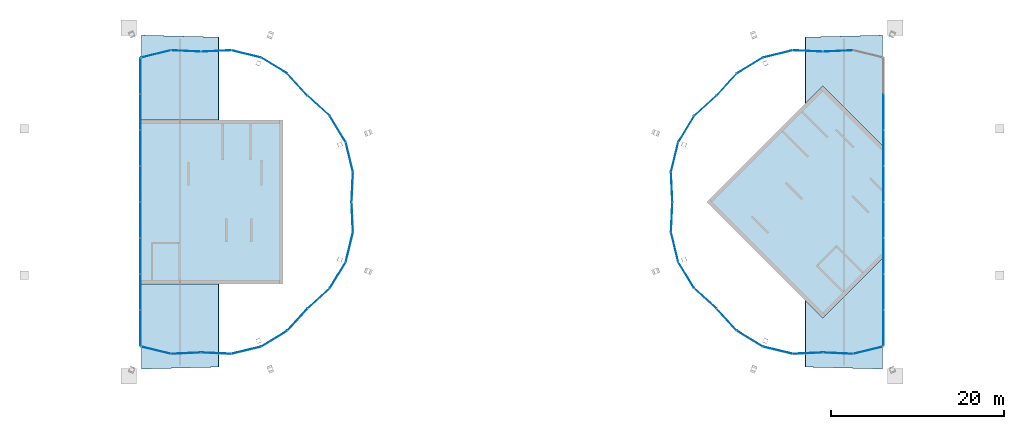
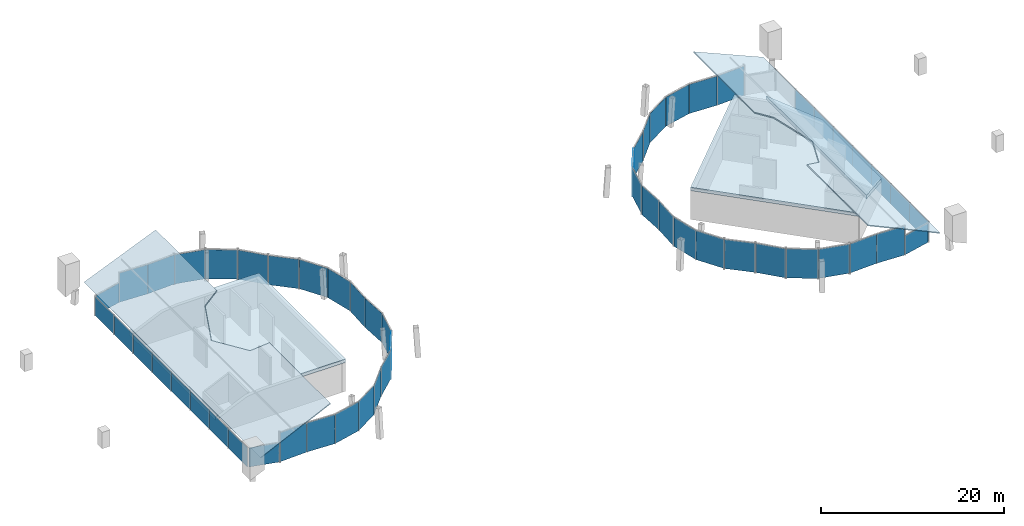
# One storey, part 12 of 14: 56 plates, 4 slabs, 20 elements without a shape of their own.
"""IFC4 building model written with IfcOpenShell, lengths in metres."""

from ifc_helpers import new_model, si_unit, direction, frame, origin, origin_2d, place, context, subcontext, project, spatial, polyline, rectangle, outline, extrude, material, layer, layer_set, type_object, element, aggregate, save


model = new_model("IFC4")

# Units and contexts
model_context = context("Model", 3, precision=1e-05, world=origin(), true_north=direction((0.0, 1.0)))
body_context = subcontext(model_context, "Body", "Model", "MODEL_VIEW")
ifc_project = project(units=[si_unit("LENGTHUNIT", "METRE"), si_unit("AREAUNIT", "SQUARE_METRE"), si_unit("VOLUMEUNIT", "CUBIC_METRE"), si_unit("PLANEANGLEUNIT", "RADIAN"), si_unit("MASSUNIT", "GRAM", prefix="KILO")], contexts=[model_context])

# Site, building, storey
site_placement = place(None, origin())
site = spatial("IfcSite", under=ifc_project, at=site_placement, CompositionType="ELEMENT")
building_placement = place(site_placement, origin())
building = spatial("IfcBuilding", under=site, at=building_placement, Name="Ogive Gate Towers", CompositionType="ELEMENT")
storey_placement = place(building_placement, frame((0.0, 0.0, 306.0)))
storey = spatial("IfcBuildingStorey", under=building, at=storey_placement, Name="L72", CompositionType="ELEMENT", Elevation=306.0)

# Slabs
ifc_material_1 = material(Name="Concrete C40/50", Category="concrete")
ifc_layer_1 = layer(ifc_material_1, 0.449951171875)
ifc_layer_set_1 = layer_set([ifc_layer_1], Name="Core roof C40/50 450 mm")
slab_type = type_object("IfcSlabType", Name="Core roof C40/50 450 mm", PredefinedType="ROOF", material=ifc_layer_set_1)
slab_1_placement = place(storey_placement, frame((0.0, 0.0, 3.550048828125)))
element("IfcSlab", 1, at=slab_1_placement, inside=storey, type_object=slab_type, Name="T1 core roof", PredefinedType="ROOF", context=body_context, shape_type="SweptSolid", body=[
    extrude(outline(polyline([(-26.5, -9.5), (-38.458740234375, -9.5), (-38.458740234375, 9.5), (-26.5, 9.5), (-26.5, -9.5)])), origin(), (0.0, 0.0, 1.0), 0.449951171875),
])
slab_2_placement = place(storey_placement, frame((-42.929443359375, -9.5, 2.0), z_axis=(-0.408357315732, 0.0, 0.91282216378), x_axis=(0.0, 1.0, 0.0)))
element("IfcSlab", 2, at=slab_2_placement, inside=storey, type_object=slab_type, Name="T1 core roof", PredefinedType="ROOF", context=body_context, shape_type="SweptSolid", body=[
    extrude(outline(polyline([(0.0, 0.0), (19.0, 0.0), (19.0, -4.897671531644887), (0.0, -4.897671531644887), (0.0, 0.0)])), origin(), (0.0, 0.408357315732, -0.91282216378), 0.492919921875),
])
slab_3_placement = place(storey_placement, frame((0.0, 0.0, 3.550048828125)))
element("IfcSlab", 3, at=slab_3_placement, inside=storey, type_object=slab_type, Name="T2 core roof", PredefinedType="ROOF", context=body_context, shape_type="SweptSolid", body=[
    extrude(outline(polyline([(22.56494140625, 0.0), (36.0, 13.43505859375), (38.458740234375, 10.976318359375), (38.458740234375, -10.976318359375), (36.0, -13.43505859375), (22.56494140625, 0.0)])), origin(), (0.0, 0.0, 1.0), 0.449951171875),
])
slab_4_placement = place(storey_placement, frame((42.929443359375, 6.505615234375, 2.0), z_axis=(0.408357315732, 0.0, 0.91282216378), x_axis=(0.0, -1.0, 0.0)))
element("IfcSlab", 4, at=slab_4_placement, inside=storey, type_object=slab_type, Name="T2 core roof", PredefinedType="ROOF", context=body_context, shape_type="SweptSolid", body=[
    extrude(outline(polyline([(0.0, 0.0), (13.01123046875, 0.0), (17.48193359375, -4.897671531644885), (-4.470703125, -4.897671531644885), (0.0, 0.0)])), origin(), (0.0, 0.408357315732, -0.91282216378), 0.492919921875),
])

# Curtain wall, plates
ifc_material_2 = material(Name="Pale metal aluminium", Category="aluminium")
curtain_wall_type = type_object("IfcCurtainWallType", Name="Crown lean wall", PredefinedType="NOTDEFINED", material=ifc_material_2)
curtain_wall_1_placement = place(storey_placement, origin())
curtain_wall_1 = element("IfcCurtainWall", 5, at=curtain_wall_1_placement, inside=storey, type_object=curtain_wall_type, Name="CW5 T1 ECW01", PredefinedType="NOTDEFINED")
ifc_material_3 = material(Name="Clear glass", Category="glass")
ifc_layer_2 = layer(ifc_material_3, 0.028076171875)
ifc_layer_set_2 = layer_set([ifc_layer_2], Name="Crown lean wall glass panel")
plate_type_1 = type_object("IfcPlateType", Name="Crown lean wall glass panel", PredefinedType="CURTAIN_PANEL", material=ifc_layer_set_2)
plate_1_placement = place(storey_placement, frame((-22.39501953125, 11.142578125, -0.2998046875), z_axis=(0.0, 0.0, 1.0), x_axis=(0.738408263639, -0.674353939849, 0.0)))
plate_1 = element("IfcPlate", 6, at=plate_1_placement, type_object=plate_type_1, Name="CW5 glass panel", PredefinedType="CURTAIN_PANEL", context=body_context, shape_type="SweptSolid", body=[
    extrude(rectangle(XDim=3.44189453125, YDim=0.028076171875, at=origin_2d()), origin(), (0.0, 0.0, 1.0), 3.904052734375),
])
plate_2_placement = place(storey_placement, frame((-20.181640625, 8.44970703125, -0.2998046875), z_axis=(0.0, 0.0, 1.0), x_axis=(0.520517935483, -0.853850735691, 0.0)))
plate_2 = element("IfcPlate", 7, at=plate_2_placement, type_object=plate_type_1, Name="CW5 glass panel", PredefinedType="CURTAIN_PANEL", context=body_context, shape_type="SweptSolid", body=[
    extrude(rectangle(XDim=3.49609375, YDim=0.028076171875, at=origin_2d()), origin(), (0.0, 0.0, 1.0), 3.904052734375),
])
plate_3_placement = place(storey_placement, frame((-18.840087890625, 5.21044921875, -0.2998046875), z_axis=(0.0, 0.0, 1.0), x_axis=(0.23568492183, -0.971829520864, 0.0)))
plate_3 = element("IfcPlate", 8, at=plate_3_placement, type_object=plate_type_1, Name="CW5 glass panel", PredefinedType="CURTAIN_PANEL", context=body_context, shape_type="SweptSolid", body=[
    extrude(rectangle(XDim=3.496337890625, YDim=0.028076171875, at=origin_2d()), origin(), (0.0, 0.0, 1.0), 3.904052734375),
])
plate_4_placement = place(storey_placement, frame((-18.5009765625, 1.7412109375, -0.2998046875), z_axis=(0.0, 0.0, 1.0), x_axis=(-0.045275811329, -0.998974524654, 0.0)))
plate_4 = element("IfcPlate", 9, at=plate_4_placement, type_object=plate_type_1, Name="CW5 glass panel", PredefinedType="CURTAIN_PANEL", context=body_context, shape_type="SweptSolid", body=[
    extrude(rectangle(XDim=3.44189453125, YDim=0.028076171875, at=origin_2d()), origin(), (0.0, 0.0, 1.0), 3.904052734375),
])
aggregate(curtain_wall_1, [plate_1, plate_2, plate_3, plate_4])

curtain_wall_2_placement = place(storey_placement, origin())
curtain_wall_2 = element("IfcCurtainWall", 10, at=curtain_wall_2_placement, inside=storey, type_object=curtain_wall_type, Name="CW5 T1 ECW02", PredefinedType="NOTDEFINED")
plate_5_placement = place(storey_placement, frame((-34.2587890625, 17.4990234375, -0.2998046875), z_axis=(0.0, 0.0, 1.0), x_axis=(0.998974524654, 0.045275811329, 0.0)))
plate_5 = element("IfcPlate", 11, at=plate_5_placement, type_object=plate_type_1, Name="CW5 glass panel", PredefinedType="CURTAIN_PANEL", context=body_context, shape_type="SweptSolid", body=[
    extrude(rectangle(XDim=3.44189453125, YDim=0.028076171875, at=origin_2d()), origin(), (0.0, 0.0, 1.0), 3.904052734375),
])
plate_6_placement = place(storey_placement, frame((-30.78955078125, 17.159912109375, -0.2998046875), z_axis=(0.0, 0.0, 1.0), x_axis=(0.971829520864, -0.23568492183, 0.0)))
plate_6 = element("IfcPlate", 12, at=plate_6_placement, type_object=plate_type_1, Name="CW5 glass panel", PredefinedType="CURTAIN_PANEL", context=body_context, shape_type="SweptSolid", body=[
    extrude(rectangle(XDim=3.496337890625, YDim=0.028076171875, at=origin_2d()), origin(), (0.0, 0.0, 1.0), 3.904052734375),
])
plate_7_placement = place(storey_placement, frame((-27.55029296875, 15.818359375, -0.2998046875), z_axis=(0.0, 0.0, 1.0), x_axis=(0.853850735691, -0.520517935483, 0.0)))
plate_7 = element("IfcPlate", 13, at=plate_7_placement, type_object=plate_type_1, Name="CW5 glass panel", PredefinedType="CURTAIN_PANEL", context=body_context, shape_type="SweptSolid", body=[
    extrude(rectangle(XDim=3.49609375, YDim=0.028076171875, at=origin_2d()), origin(), (0.0, 0.0, 1.0), 3.904052734375),
])
plate_8_placement = place(storey_placement, frame((-24.857421875, 13.60498046875, -0.2998046875), z_axis=(0.0, 0.0, 1.0), x_axis=(0.674353939849, -0.738408263639, 0.0)))
plate_8 = element("IfcPlate", 14, at=plate_8_placement, type_object=plate_type_1, Name="CW5 glass panel", PredefinedType="CURTAIN_PANEL", context=body_context, shape_type="SweptSolid", body=[
    extrude(rectangle(XDim=3.44189453125, YDim=0.028076171875, at=origin_2d()), origin(), (0.0, 0.0, 1.0), 3.904052734375),
])
aggregate(curtain_wall_2, [plate_5, plate_6, plate_7, plate_8])

curtain_wall_3_placement = place(storey_placement, origin())
curtain_wall_3 = element("IfcCurtainWall", 15, at=curtain_wall_3_placement, inside=storey, type_object=curtain_wall_type, Name="CW5 T1 ECW03", PredefinedType="NOTDEFINED")
plate_9_placement = place(storey_placement, frame((-41.21240234375, 17.159423828125, -0.300048828125), z_axis=(0.0, 0.0, 1.0), x_axis=(0.971829520864, 0.23568492183, 0.0)))
plate_9 = element("IfcPlate", 16, at=plate_9_placement, type_object=plate_type_1, Name="CW5 glass panel", PredefinedType="CURTAIN_PANEL", context=body_context, shape_type="SweptSolid", body=[
    extrude(rectangle(XDim=3.50048828125, YDim=0.028076171875, at=origin_2d()), origin(), (0.0, 0.0, 1.0), 2.58154296875),
])
plate_10_placement = place(storey_placement, frame((-37.7412109375, 17.4990234375, -0.2998046875), z_axis=(0.0, 0.0, 1.0), x_axis=(0.998974524654, -0.045275811329, 0.0)))
plate_10 = element("IfcPlate", 17, at=plate_10_placement, type_object=plate_type_1, Name="CW5 glass panel", PredefinedType="CURTAIN_PANEL", context=body_context, shape_type="SweptSolid", body=[
    extrude(rectangle(XDim=3.44189453125, YDim=0.028076171875, at=origin_2d()), origin(), (0.0, 0.0, 1.0), 3.904052734375),
])
aggregate(curtain_wall_3, [plate_9, plate_10])

curtain_wall_4_placement = place(storey_placement, origin())
curtain_wall_4 = element("IfcCurtainWall", 18, at=curtain_wall_4_placement, inside=storey, type_object=curtain_wall_type, Name="CW5 T1 ECW03b", PredefinedType="NOTDEFINED")
plate_11_placement = place(storey_placement, frame((-43.029296875, 10.427490234375, -0.300048828125), z_axis=(0.0, 0.0, 1.0), x_axis=(0.0, 1.0, 0.0)))
plate_11 = element("IfcPlate", 19, at=plate_11_placement, type_object=plate_type_1, Name="CW5 glass panel", PredefinedType="CURTAIN_PANEL", context=body_context, shape_type="SweptSolid", body=[
    extrude(rectangle(XDim=4.127197265625, YDim=0.028076171875, at=origin_2d()), origin(), (0.0, 0.0, 1.0), 2.583984375),
])
plate_12_placement = place(storey_placement, frame((-43.029296875, 14.5986328125, -0.300048828125), z_axis=(0.0, 0.0, 1.0), x_axis=(0.0, 1.0, 0.0)))
plate_12 = element("IfcPlate", 20, at=plate_12_placement, type_object=plate_type_1, Name="CW5 glass panel", PredefinedType="CURTAIN_PANEL", context=body_context, shape_type="SweptSolid", body=[
    extrude(rectangle(XDim=4.126953125, YDim=0.028076171875, at=origin_2d()), origin(), (0.0, 0.0, 1.0), 2.583984375),
])
aggregate(curtain_wall_4, [plate_11, plate_12])

curtain_wall_5_placement = place(storey_placement, origin())
curtain_wall_5 = element("IfcCurtainWall", 21, at=curtain_wall_5_placement, inside=storey, type_object=curtain_wall_type, Name="CW5 T1 ECW04", PredefinedType="NOTDEFINED")
plate_13_placement = place(storey_placement, frame((-43.029296875, 2.08544921875, -0.300048828125), z_axis=(0.0, 0.0, 1.0), x_axis=(0.0, 1.0, 0.0)))
plate_13 = element("IfcPlate", 22, at=plate_13_placement, type_object=plate_type_1, Name="CW5 glass panel", PredefinedType="CURTAIN_PANEL", context=body_context, shape_type="SweptSolid", body=[
    extrude(rectangle(XDim=4.126953125, YDim=0.028076171875, at=origin_2d()), origin(), (0.0, 0.0, 1.0), 2.583984375),
])
plate_14_placement = place(storey_placement, frame((-43.029296875, 6.256591796875, -0.300048828125), z_axis=(0.0, 0.0, 1.0), x_axis=(0.0, 1.0, 0.0)))
plate_14 = element("IfcPlate", 23, at=plate_14_placement, type_object=plate_type_1, Name="CW5 glass panel", PredefinedType="CURTAIN_PANEL", context=body_context, shape_type="SweptSolid", body=[
    extrude(rectangle(XDim=4.126953125, YDim=0.028076171875, at=origin_2d()), origin(), (0.0, 0.0, 1.0), 2.583984375),
])
aggregate(curtain_wall_5, [plate_13, plate_14])

curtain_wall_6_placement = place(storey_placement, origin())
curtain_wall_6 = element("IfcCurtainWall", 24, at=curtain_wall_6_placement, inside=storey, type_object=curtain_wall_type, Name="CW5 T1 ECW05", PredefinedType="NOTDEFINED")
plate_15_placement = place(storey_placement, frame((-43.029296875, -6.256591796875, -0.300048828125), z_axis=(0.0, 0.0, 1.0), x_axis=(0.0, 1.0, 0.0)))
plate_15 = element("IfcPlate", 25, at=plate_15_placement, type_object=plate_type_1, Name="CW5 glass panel", PredefinedType="CURTAIN_PANEL", context=body_context, shape_type="SweptSolid", body=[
    extrude(rectangle(XDim=4.126953125, YDim=0.028076171875, at=origin_2d()), origin(), (0.0, 0.0, 1.0), 2.583984375),
])
plate_16_placement = place(storey_placement, frame((-43.029296875, -2.08544921875, -0.300048828125), z_axis=(0.0, 0.0, 1.0), x_axis=(0.0, 1.0, 0.0)))
plate_16 = element("IfcPlate", 26, at=plate_16_placement, type_object=plate_type_1, Name="CW5 glass panel", PredefinedType="CURTAIN_PANEL", context=body_context, shape_type="SweptSolid", body=[
    extrude(rectangle(XDim=4.126953125, YDim=0.028076171875, at=origin_2d()), origin(), (0.0, 0.0, 1.0), 2.583984375),
])
aggregate(curtain_wall_6, [plate_15, plate_16])

curtain_wall_7_placement = place(storey_placement, origin())
curtain_wall_7 = element("IfcCurtainWall", 27, at=curtain_wall_7_placement, inside=storey, type_object=curtain_wall_type, Name="CW5 T1 ECW06", PredefinedType="NOTDEFINED")
plate_17_placement = place(storey_placement, frame((-37.7412109375, -17.4990234375, -0.2998046875), z_axis=(0.0, 0.0, 1.0), x_axis=(-0.998974524654, -0.045275811329, 0.0)))
plate_17 = element("IfcPlate", 28, at=plate_17_placement, type_object=plate_type_1, Name="CW5 glass panel", PredefinedType="CURTAIN_PANEL", context=body_context, shape_type="SweptSolid", body=[
    extrude(rectangle(XDim=3.44189453125, YDim=0.028076171875, at=origin_2d()), origin(), (0.0, 0.0, 1.0), 3.904052734375),
])
plate_18_placement = place(storey_placement, frame((-41.21240234375, -17.159423828125, -0.300048828125), z_axis=(0.0, 0.0, 1.0), x_axis=(-0.971829520864, 0.23568492183, 0.0)))
plate_18 = element("IfcPlate", 29, at=plate_18_placement, type_object=plate_type_1, Name="CW5 glass panel", PredefinedType="CURTAIN_PANEL", context=body_context, shape_type="SweptSolid", body=[
    extrude(rectangle(XDim=3.50048828125, YDim=0.028076171875, at=origin_2d()), origin(), (0.0, 0.0, 1.0), 2.58154296875),
])
aggregate(curtain_wall_7, [plate_17, plate_18])

curtain_wall_8_placement = place(storey_placement, origin())
curtain_wall_8 = element("IfcCurtainWall", 30, at=curtain_wall_8_placement, inside=storey, type_object=curtain_wall_type, Name="CW5 T1 ECW06b", PredefinedType="NOTDEFINED")
plate_19_placement = place(storey_placement, frame((-43.029296875, -14.5986328125, -0.300048828125), z_axis=(0.0, 0.0, 1.0), x_axis=(0.0, 1.0, 0.0)))
plate_19 = element("IfcPlate", 31, at=plate_19_placement, type_object=plate_type_1, Name="CW5 glass panel", PredefinedType="CURTAIN_PANEL", context=body_context, shape_type="SweptSolid", body=[
    extrude(rectangle(XDim=4.126953125, YDim=0.028076171875, at=origin_2d()), origin(), (0.0, 0.0, 1.0), 2.583984375),
])
plate_20_placement = place(storey_placement, frame((-43.029296875, -10.427490234375, -0.300048828125), z_axis=(0.0, 0.0, 1.0), x_axis=(0.0, 1.0, 0.0)))
plate_20 = element("IfcPlate", 32, at=plate_20_placement, type_object=plate_type_1, Name="CW5 glass panel", PredefinedType="CURTAIN_PANEL", context=body_context, shape_type="SweptSolid", body=[
    extrude(rectangle(XDim=4.127197265625, YDim=0.028076171875, at=origin_2d()), origin(), (0.0, 0.0, 1.0), 2.583984375),
])
aggregate(curtain_wall_8, [plate_19, plate_20])

curtain_wall_9_placement = place(storey_placement, origin())
curtain_wall_9 = element("IfcCurtainWall", 33, at=curtain_wall_9_placement, inside=storey, type_object=curtain_wall_type, Name="CW5 T1 ECW07", PredefinedType="NOTDEFINED")
plate_21_placement = place(storey_placement, frame((-24.857421875, -13.60498046875, -0.2998046875), z_axis=(0.0, 0.0, 1.0), x_axis=(-0.674353939849, -0.738408263639, 0.0)))
plate_21 = element("IfcPlate", 34, at=plate_21_placement, type_object=plate_type_1, Name="CW5 glass panel", PredefinedType="CURTAIN_PANEL", context=body_context, shape_type="SweptSolid", body=[
    extrude(rectangle(XDim=3.44189453125, YDim=0.028076171875, at=origin_2d()), origin(), (0.0, 0.0, 1.0), 3.904052734375),
])
plate_22_placement = place(storey_placement, frame((-27.55029296875, -15.818359375, -0.2998046875), z_axis=(0.0, 0.0, 1.0), x_axis=(-0.853850735691, -0.520517935483, 0.0)))
plate_22 = element("IfcPlate", 35, at=plate_22_placement, type_object=plate_type_1, Name="CW5 glass panel", PredefinedType="CURTAIN_PANEL", context=body_context, shape_type="SweptSolid", body=[
    extrude(rectangle(XDim=3.49609375, YDim=0.028076171875, at=origin_2d()), origin(), (0.0, 0.0, 1.0), 3.904052734375),
])
plate_23_placement = place(storey_placement, frame((-30.78955078125, -17.159912109375, -0.2998046875), z_axis=(0.0, 0.0, 1.0), x_axis=(-0.971829520864, -0.23568492183, 0.0)))
plate_23 = element("IfcPlate", 36, at=plate_23_placement, type_object=plate_type_1, Name="CW5 glass panel", PredefinedType="CURTAIN_PANEL", context=body_context, shape_type="SweptSolid", body=[
    extrude(rectangle(XDim=3.496337890625, YDim=0.028076171875, at=origin_2d()), origin(), (0.0, 0.0, 1.0), 3.904052734375),
])
plate_24_placement = place(storey_placement, frame((-34.2587890625, -17.4990234375, -0.2998046875), z_axis=(0.0, 0.0, 1.0), x_axis=(-0.998974524654, 0.045275811329, 0.0)))
plate_24 = element("IfcPlate", 37, at=plate_24_placement, type_object=plate_type_1, Name="CW5 glass panel", PredefinedType="CURTAIN_PANEL", context=body_context, shape_type="SweptSolid", body=[
    extrude(rectangle(XDim=3.44189453125, YDim=0.028076171875, at=origin_2d()), origin(), (0.0, 0.0, 1.0), 3.904052734375),
])
aggregate(curtain_wall_9, [plate_21, plate_22, plate_23, plate_24])

curtain_wall_10_placement = place(storey_placement, origin())
curtain_wall_10 = element("IfcCurtainWall", 38, at=curtain_wall_10_placement, inside=storey, type_object=curtain_wall_type, Name="CW5 T1 ECW08", PredefinedType="NOTDEFINED")
plate_25_placement = place(storey_placement, frame((-18.5009765625, -1.7412109375, -0.2998046875), z_axis=(0.0, 0.0, 1.0), x_axis=(0.045275811329, -0.998974524654, 0.0)))
plate_25 = element("IfcPlate", 39, at=plate_25_placement, type_object=plate_type_1, Name="CW5 glass panel", PredefinedType="CURTAIN_PANEL", context=body_context, shape_type="SweptSolid", body=[
    extrude(rectangle(XDim=3.44189453125, YDim=0.028076171875, at=origin_2d()), origin(), (0.0, 0.0, 1.0), 3.904052734375),
])
plate_26_placement = place(storey_placement, frame((-18.840087890625, -5.21044921875, -0.2998046875), z_axis=(0.0, 0.0, 1.0), x_axis=(-0.23568492183, -0.971829520864, 0.0)))
plate_26 = element("IfcPlate", 40, at=plate_26_placement, type_object=plate_type_1, Name="CW5 glass panel", PredefinedType="CURTAIN_PANEL", context=body_context, shape_type="SweptSolid", body=[
    extrude(rectangle(XDim=3.496337890625, YDim=0.028076171875, at=origin_2d()), origin(), (0.0, 0.0, 1.0), 3.904052734375),
])
plate_27_placement = place(storey_placement, frame((-20.181640625, -8.44970703125, -0.2998046875), z_axis=(0.0, 0.0, 1.0), x_axis=(-0.520517935483, -0.853850735691, 0.0)))
plate_27 = element("IfcPlate", 41, at=plate_27_placement, type_object=plate_type_1, Name="CW5 glass panel", PredefinedType="CURTAIN_PANEL", context=body_context, shape_type="SweptSolid", body=[
    extrude(rectangle(XDim=3.49609375, YDim=0.028076171875, at=origin_2d()), origin(), (0.0, 0.0, 1.0), 3.904052734375),
])
plate_28_placement = place(storey_placement, frame((-22.39501953125, -11.142578125, -0.2998046875), z_axis=(0.0, 0.0, 1.0), x_axis=(-0.738408263639, -0.674353939849, 0.0)))
plate_28 = element("IfcPlate", 42, at=plate_28_placement, type_object=plate_type_1, Name="CW5 glass panel", PredefinedType="CURTAIN_PANEL", context=body_context, shape_type="SweptSolid", body=[
    extrude(rectangle(XDim=3.44189453125, YDim=0.028076171875, at=origin_2d()), origin(), (0.0, 0.0, 1.0), 3.904052734375),
])
aggregate(curtain_wall_10, [plate_25, plate_26, plate_27, plate_28])

curtain_wall_11_placement = place(storey_placement, origin())
curtain_wall_11 = element("IfcCurtainWall", 43, at=curtain_wall_11_placement, inside=storey, type_object=curtain_wall_type, Name="CW5 T2 ECW01", PredefinedType="NOTDEFINED")
plate_29_placement = place(storey_placement, frame((43.029296875, 6.256591796875, -0.300048828125), z_axis=(0.0, 0.0, 1.0), x_axis=(0.0, -1.0, 0.0)))
plate_29 = element("IfcPlate", 44, at=plate_29_placement, type_object=plate_type_1, Name="CW5 glass panel", PredefinedType="CURTAIN_PANEL", context=body_context, shape_type="SweptSolid", body=[
    extrude(rectangle(XDim=4.126953125, YDim=0.028076171875, at=origin_2d()), origin(), (0.0, 0.0, 1.0), 2.583984375),
])
plate_30_placement = place(storey_placement, frame((43.029296875, 2.08544921875, -0.300048828125), z_axis=(0.0, 0.0, 1.0), x_axis=(0.0, -1.0, 0.0)))
plate_30 = element("IfcPlate", 45, at=plate_30_placement, type_object=plate_type_1, Name="CW5 glass panel", PredefinedType="CURTAIN_PANEL", context=body_context, shape_type="SweptSolid", body=[
    extrude(rectangle(XDim=4.126953125, YDim=0.028076171875, at=origin_2d()), origin(), (0.0, 0.0, 1.0), 2.583984375),
])
aggregate(curtain_wall_11, [plate_29, plate_30])

# Curtain wall, plate
curtain_wall_12_placement = place(storey_placement, origin())
curtain_wall_12 = element("IfcCurtainWall", 46, at=curtain_wall_12_placement, inside=storey, type_object=curtain_wall_type, Name="CW5 T2 ECW02", PredefinedType="NOTDEFINED")
plate_31_placement = place(storey_placement, frame((37.7412109375, 17.4990234375, -0.2998046875), z_axis=(0.0, 0.0, 1.0), x_axis=(0.998974524654, 0.045275811329, 0.0)))
plate_31 = element("IfcPlate", 47, at=plate_31_placement, type_object=plate_type_1, Name="CW5 glass panel", PredefinedType="CURTAIN_PANEL", context=body_context, shape_type="SweptSolid", body=[
    extrude(rectangle(XDim=3.44189453125, YDim=0.028076171875, at=origin_2d()), origin(), (0.0, 0.0, 1.0), 3.904052734375),
])
aggregate(curtain_wall_12, [plate_31])

curtain_wall_13_placement = place(storey_placement, origin())
curtain_wall_13 = element("IfcCurtainWall", 48, at=curtain_wall_13_placement, inside=storey, type_object=curtain_wall_type, Name="CW5 T2 ECW02b", PredefinedType="NOTDEFINED")
plate_32_placement = place(storey_placement, frame((43.029296875, 10.427490234375, -0.300048828125), z_axis=(0.0, 0.0, 1.0), x_axis=(0.0, -1.0, 0.0)))
plate_32 = element("IfcPlate", 49, at=plate_32_placement, type_object=plate_type_1, Name="CW5 glass panel", PredefinedType="CURTAIN_PANEL", context=body_context, shape_type="SweptSolid", body=[
    extrude(rectangle(XDim=4.127197265625, YDim=0.028076171875, at=origin_2d()), origin(), (0.0, 0.0, 1.0), 2.583984375),
])
aggregate(curtain_wall_13, [plate_32])

# Curtain wall, plates
curtain_wall_14_placement = place(storey_placement, origin())
curtain_wall_14 = element("IfcCurtainWall", 50, at=curtain_wall_14_placement, inside=storey, type_object=curtain_wall_type, Name="CW5 T2 ECW03", PredefinedType="NOTDEFINED")
plate_33_placement = place(storey_placement, frame((24.857421875, 13.60498046875, -0.2998046875), z_axis=(0.0, 0.0, 1.0), x_axis=(0.674353939849, 0.738408263639, 0.0)))
plate_33 = element("IfcPlate", 51, at=plate_33_placement, type_object=plate_type_1, Name="CW5 glass panel", PredefinedType="CURTAIN_PANEL", context=body_context, shape_type="SweptSolid", body=[
    extrude(rectangle(XDim=3.44189453125, YDim=0.028076171875, at=origin_2d()), origin(), (0.0, 0.0, 1.0), 3.904052734375),
])
plate_34_placement = place(storey_placement, frame((27.55029296875, 15.818359375, -0.2998046875), z_axis=(0.0, 0.0, 1.0), x_axis=(0.853850735691, 0.520517935483, 0.0)))
plate_34 = element("IfcPlate", 52, at=plate_34_placement, type_object=plate_type_1, Name="CW5 glass panel", PredefinedType="CURTAIN_PANEL", context=body_context, shape_type="SweptSolid", body=[
    extrude(rectangle(XDim=3.49609375, YDim=0.028076171875, at=origin_2d()), origin(), (0.0, 0.0, 1.0), 3.904052734375),
])
plate_35_placement = place(storey_placement, frame((30.78955078125, 17.159912109375, -0.2998046875), z_axis=(0.0, 0.0, 1.0), x_axis=(0.971829520864, 0.23568492183, 0.0)))
plate_35 = element("IfcPlate", 53, at=plate_35_placement, type_object=plate_type_1, Name="CW5 glass panel", PredefinedType="CURTAIN_PANEL", context=body_context, shape_type="SweptSolid", body=[
    extrude(rectangle(XDim=3.496337890625, YDim=0.028076171875, at=origin_2d()), origin(), (0.0, 0.0, 1.0), 3.904052734375),
])
plate_36_placement = place(storey_placement, frame((34.2587890625, 17.4990234375, -0.2998046875), z_axis=(0.0, 0.0, 1.0), x_axis=(0.998974524654, -0.045275811329, 0.0)))
plate_36 = element("IfcPlate", 54, at=plate_36_placement, type_object=plate_type_1, Name="CW5 glass panel", PredefinedType="CURTAIN_PANEL", context=body_context, shape_type="SweptSolid", body=[
    extrude(rectangle(XDim=3.44189453125, YDim=0.028076171875, at=origin_2d()), origin(), (0.0, 0.0, 1.0), 3.904052734375),
])
aggregate(curtain_wall_14, [plate_33, plate_34, plate_35, plate_36])

curtain_wall_15_placement = place(storey_placement, origin())
curtain_wall_15 = element("IfcCurtainWall", 55, at=curtain_wall_15_placement, inside=storey, type_object=curtain_wall_type, Name="CW5 T2 ECW04", PredefinedType="NOTDEFINED")
plate_37_placement = place(storey_placement, frame((18.5009765625, 1.7412109375, -0.2998046875), z_axis=(0.0, 0.0, 1.0), x_axis=(-0.045275811329, 0.998974524654, 0.0)))
plate_37 = element("IfcPlate", 56, at=plate_37_placement, type_object=plate_type_1, Name="CW5 glass panel", PredefinedType="CURTAIN_PANEL", context=body_context, shape_type="SweptSolid", body=[
    extrude(rectangle(XDim=3.44189453125, YDim=0.028076171875, at=origin_2d()), origin(), (0.0, 0.0, 1.0), 3.904052734375),
])
plate_38_placement = place(storey_placement, frame((18.840087890625, 5.21044921875, -0.2998046875), z_axis=(0.0, 0.0, 1.0), x_axis=(0.23568492183, 0.971829520864, 0.0)))
plate_38 = element("IfcPlate", 57, at=plate_38_placement, type_object=plate_type_1, Name="CW5 glass panel", PredefinedType="CURTAIN_PANEL", context=body_context, shape_type="SweptSolid", body=[
    extrude(rectangle(XDim=3.496337890625, YDim=0.028076171875, at=origin_2d()), origin(), (0.0, 0.0, 1.0), 3.904052734375),
])
plate_39_placement = place(storey_placement, frame((20.181640625, 8.44970703125, -0.2998046875), z_axis=(0.0, 0.0, 1.0), x_axis=(0.520517935483, 0.853850735691, 0.0)))
plate_39 = element("IfcPlate", 58, at=plate_39_placement, type_object=plate_type_1, Name="CW5 glass panel", PredefinedType="CURTAIN_PANEL", context=body_context, shape_type="SweptSolid", body=[
    extrude(rectangle(XDim=3.49609375, YDim=0.028076171875, at=origin_2d()), origin(), (0.0, 0.0, 1.0), 3.904052734375),
])
plate_40_placement = place(storey_placement, frame((22.39501953125, 11.142578125, -0.2998046875), z_axis=(0.0, 0.0, 1.0), x_axis=(0.738408263639, 0.674353939849, 0.0)))
plate_40 = element("IfcPlate", 59, at=plate_40_placement, type_object=plate_type_1, Name="CW5 glass panel", PredefinedType="CURTAIN_PANEL", context=body_context, shape_type="SweptSolid", body=[
    extrude(rectangle(XDim=3.44189453125, YDim=0.028076171875, at=origin_2d()), origin(), (0.0, 0.0, 1.0), 3.904052734375),
])
aggregate(curtain_wall_15, [plate_37, plate_38, plate_39, plate_40])

curtain_wall_16_placement = place(storey_placement, origin())
curtain_wall_16 = element("IfcCurtainWall", 60, at=curtain_wall_16_placement, inside=storey, type_object=curtain_wall_type, Name="CW5 T2 ECW05", PredefinedType="NOTDEFINED")
plate_41_placement = place(storey_placement, frame((22.39501953125, -11.142578125, -0.2998046875), z_axis=(0.0, 0.0, 1.0), x_axis=(-0.738408263639, 0.674353939849, 0.0)))
plate_41 = element("IfcPlate", 61, at=plate_41_placement, type_object=plate_type_1, Name="CW5 glass panel", PredefinedType="CURTAIN_PANEL", context=body_context, shape_type="SweptSolid", body=[
    extrude(rectangle(XDim=3.44189453125, YDim=0.028076171875, at=origin_2d()), origin(), (0.0, 0.0, 1.0), 3.904052734375),
])
plate_42_placement = place(storey_placement, frame((20.181640625, -8.44970703125, -0.2998046875), z_axis=(0.0, 0.0, 1.0), x_axis=(-0.520517935483, 0.853850735691, 0.0)))
plate_42 = element("IfcPlate", 62, at=plate_42_placement, type_object=plate_type_1, Name="CW5 glass panel", PredefinedType="CURTAIN_PANEL", context=body_context, shape_type="SweptSolid", body=[
    extrude(rectangle(XDim=3.49609375, YDim=0.028076171875, at=origin_2d()), origin(), (0.0, 0.0, 1.0), 3.904052734375),
])
plate_43_placement = place(storey_placement, frame((18.840087890625, -5.21044921875, -0.2998046875), z_axis=(0.0, 0.0, 1.0), x_axis=(-0.23568492183, 0.971829520864, 0.0)))
plate_43 = element("IfcPlate", 63, at=plate_43_placement, type_object=plate_type_1, Name="CW5 glass panel", PredefinedType="CURTAIN_PANEL", context=body_context, shape_type="SweptSolid", body=[
    extrude(rectangle(XDim=3.496337890625, YDim=0.028076171875, at=origin_2d()), origin(), (0.0, 0.0, 1.0), 3.904052734375),
])
plate_44_placement = place(storey_placement, frame((18.5009765625, -1.7412109375, -0.2998046875), z_axis=(0.0, 0.0, 1.0), x_axis=(0.045275811329, 0.998974524654, 0.0)))
plate_44 = element("IfcPlate", 64, at=plate_44_placement, type_object=plate_type_1, Name="CW5 glass panel", PredefinedType="CURTAIN_PANEL", context=body_context, shape_type="SweptSolid", body=[
    extrude(rectangle(XDim=3.44189453125, YDim=0.028076171875, at=origin_2d()), origin(), (0.0, 0.0, 1.0), 3.904052734375),
])
aggregate(curtain_wall_16, [plate_41, plate_42, plate_43, plate_44])

curtain_wall_17_placement = place(storey_placement, origin())
curtain_wall_17 = element("IfcCurtainWall", 65, at=curtain_wall_17_placement, inside=storey, type_object=curtain_wall_type, Name="CW5 T2 ECW06", PredefinedType="NOTDEFINED")
plate_45_placement = place(storey_placement, frame((34.2587890625, -17.4990234375, -0.2998046875), z_axis=(0.0, 0.0, 1.0), x_axis=(-0.998974524654, -0.045275811329, 0.0)))
plate_45 = element("IfcPlate", 66, at=plate_45_placement, type_object=plate_type_1, Name="CW5 glass panel", PredefinedType="CURTAIN_PANEL", context=body_context, shape_type="SweptSolid", body=[
    extrude(rectangle(XDim=3.44189453125, YDim=0.028076171875, at=origin_2d()), origin(), (0.0, 0.0, 1.0), 3.904052734375),
])
plate_46_placement = place(storey_placement, frame((30.78955078125, -17.159912109375, -0.2998046875), z_axis=(0.0, 0.0, 1.0), x_axis=(-0.971829520864, 0.23568492183, 0.0)))
plate_46 = element("IfcPlate", 67, at=plate_46_placement, type_object=plate_type_1, Name="CW5 glass panel", PredefinedType="CURTAIN_PANEL", context=body_context, shape_type="SweptSolid", body=[
    extrude(rectangle(XDim=3.496337890625, YDim=0.028076171875, at=origin_2d()), origin(), (0.0, 0.0, 1.0), 3.904052734375),
])
plate_47_placement = place(storey_placement, frame((27.55029296875, -15.818359375, -0.2998046875), z_axis=(0.0, 0.0, 1.0), x_axis=(-0.853850735691, 0.520517935483, 0.0)))
plate_47 = element("IfcPlate", 68, at=plate_47_placement, type_object=plate_type_1, Name="CW5 glass panel", PredefinedType="CURTAIN_PANEL", context=body_context, shape_type="SweptSolid", body=[
    extrude(rectangle(XDim=3.49609375, YDim=0.028076171875, at=origin_2d()), origin(), (0.0, 0.0, 1.0), 3.904052734375),
])
plate_48_placement = place(storey_placement, frame((24.857421875, -13.60498046875, -0.2998046875), z_axis=(0.0, 0.0, 1.0), x_axis=(-0.674353939849, 0.738408263639, 0.0)))
plate_48 = element("IfcPlate", 69, at=plate_48_placement, type_object=plate_type_1, Name="CW5 glass panel", PredefinedType="CURTAIN_PANEL", context=body_context, shape_type="SweptSolid", body=[
    extrude(rectangle(XDim=3.44189453125, YDim=0.028076171875, at=origin_2d()), origin(), (0.0, 0.0, 1.0), 3.904052734375),
])
aggregate(curtain_wall_17, [plate_45, plate_46, plate_47, plate_48])

curtain_wall_18_placement = place(storey_placement, origin())
curtain_wall_18 = element("IfcCurtainWall", 70, at=curtain_wall_18_placement, inside=storey, type_object=curtain_wall_type, Name="CW5 T2 ECW07", PredefinedType="NOTDEFINED")
plate_49_placement = place(storey_placement, frame((41.21240234375, -17.159423828125, -0.300048828125), z_axis=(0.0, 0.0, 1.0), x_axis=(-0.971829520864, -0.23568492183, 0.0)))
plate_49 = element("IfcPlate", 71, at=plate_49_placement, type_object=plate_type_1, Name="CW5 glass panel", PredefinedType="CURTAIN_PANEL", context=body_context, shape_type="SweptSolid", body=[
    extrude(rectangle(XDim=3.50048828125, YDim=0.028076171875, at=origin_2d()), origin(), (0.0, 0.0, 1.0), 2.58154296875),
])
plate_50_placement = place(storey_placement, frame((37.7412109375, -17.4990234375, -0.2998046875), z_axis=(0.0, 0.0, 1.0), x_axis=(-0.998974524654, 0.045275811329, 0.0)))
plate_50 = element("IfcPlate", 72, at=plate_50_placement, type_object=plate_type_1, Name="CW5 glass panel", PredefinedType="CURTAIN_PANEL", context=body_context, shape_type="SweptSolid", body=[
    extrude(rectangle(XDim=3.44189453125, YDim=0.028076171875, at=origin_2d()), origin(), (0.0, 0.0, 1.0), 3.904052734375),
])
aggregate(curtain_wall_18, [plate_49, plate_50])

curtain_wall_19_placement = place(storey_placement, origin())
curtain_wall_19 = element("IfcCurtainWall", 73, at=curtain_wall_19_placement, inside=storey, type_object=curtain_wall_type, Name="CW5 T2 ECW07b", PredefinedType="NOTDEFINED")
plate_51_placement = place(storey_placement, frame((43.029296875, -10.427490234375, -0.300048828125), z_axis=(0.0, 0.0, 1.0), x_axis=(0.0, -1.0, 0.0)))
plate_51 = element("IfcPlate", 74, at=plate_51_placement, type_object=plate_type_1, Name="CW5 glass panel", PredefinedType="CURTAIN_PANEL", context=body_context, shape_type="SweptSolid", body=[
    extrude(rectangle(XDim=4.127197265625, YDim=0.028076171875, at=origin_2d()), origin(), (0.0, 0.0, 1.0), 2.583984375),
])
plate_52_placement = place(storey_placement, frame((43.029296875, -14.5986328125, -0.300048828125), z_axis=(0.0, 0.0, 1.0), x_axis=(0.0, -1.0, 0.0)))
plate_52 = element("IfcPlate", 75, at=plate_52_placement, type_object=plate_type_1, Name="CW5 glass panel", PredefinedType="CURTAIN_PANEL", context=body_context, shape_type="SweptSolid", body=[
    extrude(rectangle(XDim=4.126953125, YDim=0.028076171875, at=origin_2d()), origin(), (0.0, 0.0, 1.0), 2.583984375),
])
aggregate(curtain_wall_19, [plate_51, plate_52])

curtain_wall_20_placement = place(storey_placement, origin())
curtain_wall_20 = element("IfcCurtainWall", 76, at=curtain_wall_20_placement, inside=storey, type_object=curtain_wall_type, Name="CW5 T2 ECW08", PredefinedType="NOTDEFINED")
plate_53_placement = place(storey_placement, frame((43.029296875, -2.08544921875, -0.300048828125), z_axis=(0.0, 0.0, 1.0), x_axis=(0.0, -1.0, 0.0)))
plate_53 = element("IfcPlate", 77, at=plate_53_placement, type_object=plate_type_1, Name="CW5 glass panel", PredefinedType="CURTAIN_PANEL", context=body_context, shape_type="SweptSolid", body=[
    extrude(rectangle(XDim=4.126953125, YDim=0.028076171875, at=origin_2d()), origin(), (0.0, 0.0, 1.0), 2.583984375),
])
plate_54_placement = place(storey_placement, frame((43.029296875, -6.256591796875, -0.300048828125), z_axis=(0.0, 0.0, 1.0), x_axis=(0.0, -1.0, 0.0)))
plate_54 = element("IfcPlate", 78, at=plate_54_placement, type_object=plate_type_1, Name="CW5 glass panel", PredefinedType="CURTAIN_PANEL", context=body_context, shape_type="SweptSolid", body=[
    extrude(rectangle(XDim=4.126953125, YDim=0.028076171875, at=origin_2d()), origin(), (0.0, 0.0, 1.0), 2.583984375),
])
aggregate(curtain_wall_20, [plate_53, plate_54])

# Plates
ifc_layer_3 = layer(ifc_material_3, 0.1201171875)
ifc_layer_set_3 = layer_set([ifc_layer_3], Name="Glazed crown roof")
plate_type_2 = type_object("IfcPlateType", Name="Glazed crown roof", PredefinedType="SHEET", material=ifc_layer_set_3)
for number, where, z_axis, x_axis, name in (
    (79, (-42.929443359375, 19.33154296875, 2.531005859375), (-0.408367666066, 0.0, 0.912817533416), (0.912574501648, -0.023074145409, 0.408258940815), "Glazed crown roof"),
    (80, (42.929443359375, -19.33154296875, 2.531005859375), (0.408367666066, 0.0, 0.912817533416), (-0.912574501648, 0.023074145409, 0.408258940815), "Glazed crown roof"),
):
    element("IfcPlate", number, at=place(storey_placement, frame(where, z_axis=z_axis, x_axis=x_axis)), inside=storey, type_object=plate_type_2, Name=name, PredefinedType="SHEET", context=body_context, shape_type="SweptSolid", body=[
        extrude(outline(polyline([(0.0, 0.0), (9.797728788774334, -3.469446951953614e-17), (10.105613149902945, -13.33970916156839), (7.976190439060964, -14.20157323657443), (5.844885682844948, -19.201789578959925), (8.204610958602863, -24.09835164407022), (10.371529155734448, -24.861054923318203), (10.67941351686306, -38.20076408488659), (0.8921176668820471, -38.6527921407878), (0.0, 0.0)])), origin(), (0.0, 0.0, -1.0), 0.1201171875),
    ])

save(model, "model.ifc")
